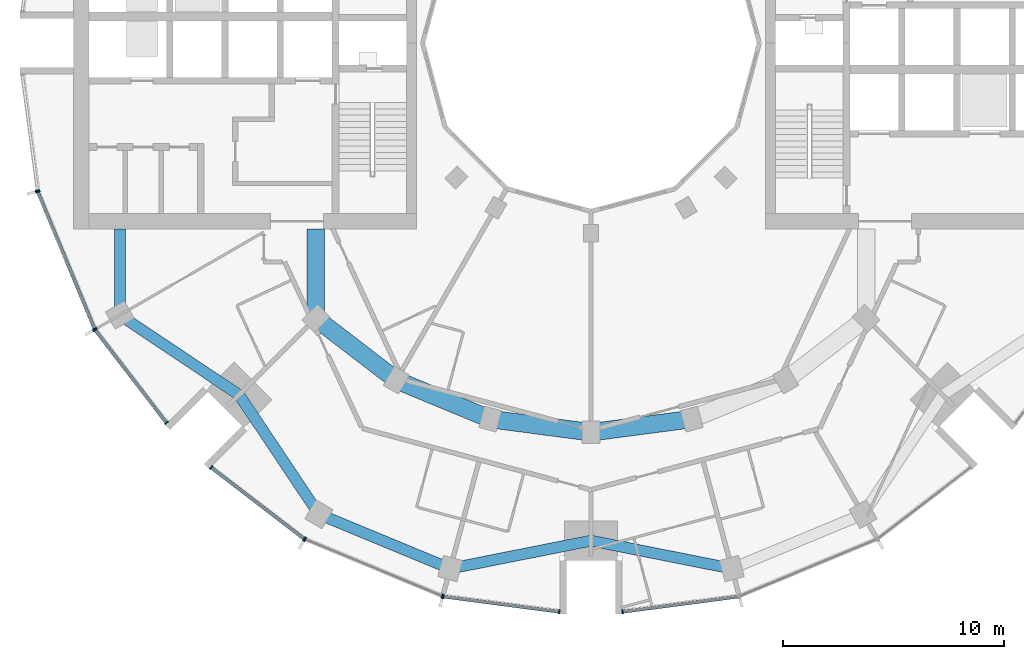
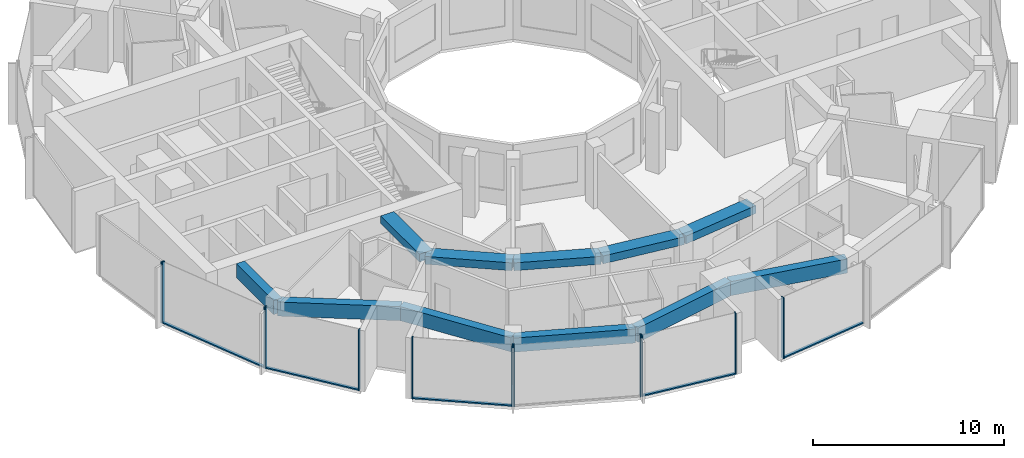
# One storey, part 2 of 15: 17 members, 11 beams, 7 elements without a shape of their own.
"""IFC4 building model written with IfcOpenShell, lengths in metres."""

from ifc_helpers import new_model, si_unit, direction, frame, origin, origin_2d, place, context, subcontext, project, spatial, rectangle, extrude, material, layer, layer_set, material_profile, profile_set, type_object, element, aggregate, save


model = new_model("IFC4")

# Units and contexts
model_context = context("Model", 3, precision=1e-05, world=origin(), true_north=direction((0.0, 1.0)))
body_context = subcontext(model_context, "Body", "Model", "MODEL_VIEW")
ifc_project = project(units=[si_unit("LENGTHUNIT", "METRE"), si_unit("AREAUNIT", "SQUARE_METRE"), si_unit("VOLUMEUNIT", "CUBIC_METRE"), si_unit("PLANEANGLEUNIT", "RADIAN"), si_unit("MASSUNIT", "GRAM", prefix="KILO")], contexts=[model_context])

# Site, building, storey
site_placement = place(None, origin())
site = spatial("IfcSite", under=ifc_project, at=site_placement, CompositionType="ELEMENT")
building_placement = place(site_placement, origin())
building = spatial("IfcBuilding", under=site, at=building_placement, Name="Torre Brocal", CompositionType="ELEMENT")
storey_placement = place(building_placement, frame((0.0, 0.0, 126.300048828125)))
storey = spatial("IfcBuildingStorey", under=building, at=storey_placement, Name="L29", CompositionType="ELEMENT", Elevation=126.300048828125)

# Curtain wall, members
ifc_material_1 = material(Name="Aluminium and glass", Category="aluminium")
ifc_layer_1 = layer(ifc_material_1, 0.199951171875)
ifc_layer_set_1 = layer_set([ifc_layer_1], Name="Aluminium and glass")
curtain_wall_type_1 = type_object("IfcCurtainWallType", Name="CW-1 CURTAIN WALL 3900 HIGH", PredefinedType="NOTDEFINED", material=ifc_layer_set_1)
curtain_wall_1_placement = place(storey_placement, origin())
curtain_wall_1 = element("IfcCurtainWall", 1, at=curtain_wall_1_placement, inside=storey, type_object=curtain_wall_type_1, Name="CW-1 RUN 14", PredefinedType="NOTDEFINED")
ifc_material_2 = material(Name="Aluminium, dark anodised", Category="aluminium")
ifc_material_profile_1 = material_profile(ifc_material_2, rectangle(XDim=0.199951171875, YDim=0.06005859375, at=origin_2d()), Name="CW-1 MULLION 60X200")
ifc_profile_set_1 = profile_set([ifc_material_profile_1], Name="Aluminium, dark anodised")
member_type_1 = type_object("IfcMemberType", Name="CW-1 MULLION 60X200", PredefinedType="MULLION", material=ifc_profile_set_1)
member_1_placement = place(storey_placement, frame((54.994873046875, 68.26904296875, 0.0), z_axis=(0.0, 0.0, 1.0), x_axis=(0.923879532525, 0.382683432333, 0.0)))
member_1 = element("IfcMember", 2, at=member_1_placement, type_object=member_type_1, Name="CW1-3 mullion 1", PredefinedType="MULLION", context=body_context, shape_type="SweptSolid", body=[
    extrude(rectangle(XDim=0.199951171875, YDim=0.06005859375, at=origin_2d()), origin(), (0.0, 0.0, 1.0), 3.89990234375),
])
member_2_placement = place(storey_placement, frame((57.559326171875, 62.078125, 0.0), z_axis=(0.0, 0.0, 1.0), x_axis=(0.923879532525, 0.382683432333, 0.0)))
member_2 = element("IfcMember", 3, at=member_2_placement, type_object=member_type_1, Name="CW1-3 mullion 2", PredefinedType="MULLION", context=body_context, shape_type="SweptSolid", body=[
    extrude(rectangle(XDim=0.199951171875, YDim=0.06005859375, at=origin_2d()), origin(), (0.0, 0.0, 1.0), 3.89990234375),
])

curtain_wall_2_placement = place(storey_placement, origin())
curtain_wall_2 = element("IfcCurtainWall", 4, at=curtain_wall_2_placement, inside=storey, type_object=curtain_wall_type_1, Name="CW-1 RUN 15", PredefinedType="NOTDEFINED")
member_3_placement = place(storey_placement, frame((57.5888671875, 62.026611328125, 0.0), z_axis=(0.0, 0.0, 1.0), x_axis=(0.793353340259, 0.60876142905, 0.0)))
member_3 = element("IfcMember", 5, at=member_3_placement, type_object=member_type_1, Name="CW1-3 mullion 1", PredefinedType="MULLION", context=body_context, shape_type="SweptSolid", body=[
    extrude(rectangle(XDim=0.199951171875, YDim=0.06005859375, at=origin_2d()), origin(), (0.0, 0.0, 1.0), 3.89990234375),
])
member_4_placement = place(storey_placement, frame((60.80859375, 57.83056640625, 0.0), z_axis=(0.0, 0.0, 1.0), x_axis=(0.793353340259, 0.60876142905, 0.0)))
member_4 = element("IfcMember", 6, at=member_4_placement, type_object=member_type_1, Name="CW1-3 mullion 2", PredefinedType="MULLION", context=body_context, shape_type="SweptSolid", body=[
    extrude(rectangle(XDim=0.199951171875, YDim=0.06005859375, at=origin_2d()), origin(), (0.0, 0.0, 1.0), 3.89990234375),
])

curtain_wall_3_placement = place(storey_placement, origin())
curtain_wall_3 = element("IfcCurtainWall", 7, at=curtain_wall_3_placement, inside=storey, type_object=curtain_wall_type_1, Name="CW-1 RUN 16", PredefinedType="NOTDEFINED")
member_5_placement = place(storey_placement, frame((62.83056640625, 55.80859375, 0.0), z_axis=(0.0, 0.0, 1.0), x_axis=(0.60876142905, 0.793353340259, 0.0)))
member_5 = element("IfcMember", 8, at=member_5_placement, type_object=member_type_1, Name="CW1-3 mullion 1", PredefinedType="MULLION", context=body_context, shape_type="SweptSolid", body=[
    extrude(rectangle(XDim=0.199951171875, YDim=0.06005859375, at=origin_2d()), origin(), (0.0, 0.0, 1.0), 3.89990234375),
])
member_6_placement = place(storey_placement, frame((67.026611328125, 52.5888671875, 0.0), z_axis=(0.0, 0.0, 1.0), x_axis=(0.60876142905, 0.793353340259, 0.0)))
member_6 = element("IfcMember", 9, at=member_6_placement, type_object=member_type_1, Name="CW1-3 mullion 2", PredefinedType="MULLION", context=body_context, shape_type="SweptSolid", body=[
    extrude(rectangle(XDim=0.199951171875, YDim=0.06005859375, at=origin_2d()), origin(), (0.0, 0.0, 1.0), 3.89990234375),
])

curtain_wall_4_placement = place(storey_placement, origin())
curtain_wall_4 = element("IfcCurtainWall", 10, at=curtain_wall_4_placement, inside=storey, type_object=curtain_wall_type_1, Name="CW-1 RUN 17", PredefinedType="NOTDEFINED")
member_7_placement = place(storey_placement, frame((67.078125, 52.559326171875, 0.0), z_axis=(0.0, 0.0, 1.0), x_axis=(0.382683432333, 0.923879532525, 0.0)))
member_7 = element("IfcMember", 11, at=member_7_placement, type_object=member_type_1, Name="CW1-3 mullion 1", PredefinedType="MULLION", context=body_context, shape_type="SweptSolid", body=[
    extrude(rectangle(XDim=0.199951171875, YDim=0.06005859375, at=origin_2d()), origin(), (0.0, 0.0, 1.0), 3.89990234375),
])
member_8_placement = place(storey_placement, frame((73.26904296875, 49.994873046875, 0.0), z_axis=(0.0, 0.0, 1.0), x_axis=(0.382683432333, 0.923879532525, 0.0)))
member_8 = element("IfcMember", 12, at=member_8_placement, type_object=member_type_1, Name="CW1-3 mullion 2", PredefinedType="MULLION", context=body_context, shape_type="SweptSolid", body=[
    extrude(rectangle(XDim=0.199951171875, YDim=0.06005859375, at=origin_2d()), origin(), (0.0, 0.0, 1.0), 3.89990234375),
])
aggregate(curtain_wall_4, [member_7, member_8])

curtain_wall_5_placement = place(storey_placement, origin())
curtain_wall_5 = element("IfcCurtainWall", 13, at=curtain_wall_5_placement, inside=storey, type_object=curtain_wall_type_1, Name="CW-1 RUN 18", PredefinedType="NOTDEFINED")
member_9_placement = place(storey_placement, frame((73.32666015625, 49.9794921875, 0.0), z_axis=(0.0, 0.0, 1.0), x_axis=(0.13052619222, 0.991444861374, 0.0)))
member_9 = element("IfcMember", 14, at=member_9_placement, type_object=member_type_1, Name="CW1-3 mullion 1", PredefinedType="MULLION", context=body_context, shape_type="SweptSolid", body=[
    extrude(rectangle(XDim=0.199951171875, YDim=0.06005859375, at=origin_2d()), origin(), (0.0, 0.0, 1.0), 3.89990234375),
])
member_10_placement = place(storey_placement, frame((78.5703125, 49.2890625, 0.0), z_axis=(0.0, 0.0, 1.0), x_axis=(0.13052619222, 0.991444861374, 0.0)))
member_10 = element("IfcMember", 15, at=member_10_placement, type_object=member_type_1, Name="CW1-3 mullion 2", PredefinedType="MULLION", context=body_context, shape_type="SweptSolid", body=[
    extrude(rectangle(XDim=0.199951171875, YDim=0.06005859375, at=origin_2d()), origin(), (0.0, 0.0, 1.0), 3.89990234375),
])

# Curtain wall, member
curtain_wall_6_placement = place(storey_placement, origin())
curtain_wall_6 = element("IfcCurtainWall", 16, at=curtain_wall_6_placement, inside=storey, type_object=curtain_wall_type_1, Name="CW-1 RUN 19", PredefinedType="NOTDEFINED")
member_11_placement = place(storey_placement, frame((81.4296875, 49.2890625, 0.0), z_axis=(0.0, 0.0, 1.0), x_axis=(-0.13052619222, 0.991444861374, 0.0)))
member_11 = element("IfcMember", 17, at=member_11_placement, type_object=member_type_1, Name="CW1-3 mullion 1", PredefinedType="MULLION", context=body_context, shape_type="SweptSolid", body=[
    extrude(rectangle(XDim=0.199951171875, YDim=0.06005859375, at=origin_2d()), origin(), (0.0, 0.0, 1.0), 3.89990234375),
])

# Member
ifc_material_3 = material(Name="Aluminium, dark anodised", Category="aluminium")
ifc_material_profile_2 = material_profile(ifc_material_3, rectangle(XDim=0.159912109375, YDim=0.080078125, at=origin_2d()), Name="CW-1 TRANSOM 160X80")
ifc_profile_set_2 = profile_set([ifc_material_profile_2], Name="Aluminium, dark anodised")
member_type_2 = type_object("IfcMemberType", Name="CW-1 TRANSOM 160X80", PredefinedType="USERDEFINED", material=ifc_profile_set_2)
member_12_placement = place(storey_placement, frame((55.00634765625, 68.241455078125, 0.0400390625), z_axis=(0.38266457234, -0.923887344364, 0.0), x_axis=(0.923887344364, 0.38266457234, 0.0)))
member_12 = element("IfcMember", 18, at=member_12_placement, type_object=member_type_2, Name="CW1-3 transom 1.1", ObjectType="TRANSOM", PredefinedType="USERDEFINED", context=body_context, shape_type="SweptSolid", body=[
    extrude(rectangle(XDim=0.159912109375, YDim=0.080078125, at=origin_2d()), origin(), (0.0, 0.0, 1.0), 6.640869140625),
])

aggregate(curtain_wall_1, [member_1, member_2, member_12])

member_13_placement = place(storey_placement, frame((57.607177734375, 62.0029296875, 0.0400390625), z_axis=(0.60874908096, -0.79336281513, 0.0), x_axis=(0.79336281513, 0.60874908096, 0.0)))
member_13 = element("IfcMember", 19, at=member_13_placement, type_object=member_type_2, Name="CW1-3 transom 1.1", ObjectType="TRANSOM", PredefinedType="USERDEFINED", context=body_context, shape_type="SweptSolid", body=[
    extrude(rectangle(XDim=0.159912109375, YDim=0.080078125, at=origin_2d()), origin(), (0.0, 0.0, 1.0), 5.22900390625),
])

aggregate(curtain_wall_2, [member_3, member_4, member_13])

member_14_placement = place(storey_placement, frame((62.8544921875, 55.790283203125, 0.0400390625), z_axis=(0.79336281513, -0.60874908096, 0.0), x_axis=(0.60874908096, 0.79336281513, 0.0)))
member_14 = element("IfcMember", 20, at=member_14_placement, type_object=member_type_2, Name="CW1-3 transom 1.1", ObjectType="TRANSOM", PredefinedType="USERDEFINED", context=body_context, shape_type="SweptSolid", body=[
    extrude(rectangle(XDim=0.159912109375, YDim=0.080078125, at=origin_2d()), origin(), (0.0, 0.0, 1.0), 5.22900390625),
])

aggregate(curtain_wall_3, [member_5, member_6, member_14])

member_15_placement = place(storey_placement, frame((73.356201171875, 49.9755859375, 0.0400390625), z_axis=(0.991442690863, -0.130542677827, 0.0), x_axis=(0.130542677827, 0.991442690863, 0.0)))
member_15 = element("IfcMember", 21, at=member_15_placement, type_object=member_type_2, Name="CW1-3 transom 1.1", ObjectType="TRANSOM", PredefinedType="USERDEFINED", context=body_context, shape_type="SweptSolid", body=[
    extrude(rectangle(XDim=0.159912109375, YDim=0.080078125, at=origin_2d()), origin(), (0.0, 0.0, 1.0), 5.22900390625),
])

aggregate(curtain_wall_5, [member_9, member_10, member_15])

member_16_placement = place(storey_placement, frame((81.45947265625, 49.29296875, 0.0400390625), z_axis=(0.991442690863, 0.130542677827, 0.0), x_axis=(-0.130542677827, 0.991442690863, 0.0)))
member_16 = element("IfcMember", 22, at=member_16_placement, type_object=member_type_2, Name="CW1-3 transom 1.1", ObjectType="TRANSOM", PredefinedType="USERDEFINED", context=body_context, shape_type="SweptSolid", body=[
    extrude(rectangle(XDim=0.159912109375, YDim=0.080078125, at=origin_2d()), origin(), (0.0, 0.0, 1.0), 5.22900390625),
])

aggregate(curtain_wall_6, [member_11, member_16])

# Curtain wall, member
ifc_material_4 = material(Name="Aluminium and glass", Category="aluminium")
ifc_layer_2 = layer(ifc_material_4, 0.199951171875)
ifc_layer_set_2 = layer_set([ifc_layer_2], Name="Aluminium and glass")
curtain_wall_type_2 = type_object("IfcCurtainWallType", Name="CW-1B CURTAIN WALL 3900 HIGH", PredefinedType="NOTDEFINED", material=ifc_layer_set_2)
curtain_wall_7_placement = place(storey_placement, origin())
curtain_wall_7 = element("IfcCurtainWall", 23, at=curtain_wall_7_placement, inside=storey, type_object=curtain_wall_type_2, Name="CW-1B RUN 13", PredefinedType="NOTDEFINED")
ifc_material_5 = material(Name="Aluminium, dark anodised", Category="aluminium")
ifc_material_profile_3 = material_profile(ifc_material_5, rectangle(XDim=0.199951171875, YDim=0.06005859375, at=origin_2d()), Name="CW-1B MULLION 60X200")
ifc_profile_set_3 = profile_set([ifc_material_profile_3], Name="Aluminium, dark anodised")
member_type_3 = type_object("IfcMemberType", Name="CW-1B MULLION 60X200", PredefinedType="MULLION", material=ifc_profile_set_3)
member_17_placement = place(storey_placement, frame((54.9794921875, 68.32666015625, 0.0), z_axis=(0.0, 0.0, 1.0), x_axis=(0.991444861374, 0.13052619222, 0.0)))
member_17 = element("IfcMember", 24, at=member_17_placement, type_object=member_type_3, Name="CW1B-3 mullion 2", PredefinedType="MULLION", context=body_context, shape_type="SweptSolid", body=[
    extrude(rectangle(XDim=0.199951171875, YDim=0.06005859375, at=origin_2d()), origin(), (0.0, 0.0, 1.0), 3.89990234375),
])
aggregate(curtain_wall_7, [member_17])

# Beams
ifc_material_6 = material(Name="Concrete C50", Category="concrete")
ifc_material_profile_4 = material_profile(ifc_material_6, rectangle(XDim=0.800048828125, YDim=0.5, at=origin_2d()), Name="RC 800X500")
ifc_profile_set_4 = profile_set([ifc_material_profile_4], Name="Concrete C50")
beam_type_1 = type_object("IfcBeamType", Name="RC BEAM 800X500 C50 TOP 3580", PredefinedType="BEAM", material=ifc_profile_set_4)
beam_1_placement = place(storey_placement, frame((67.554931640625, 62.554931640625, 3.329833984375), z_axis=(0.0, 1.0, 0.0), x_axis=(-1.0, 0.0, 0.0)))
element("IfcBeam", 25, at=beam_1_placement, inside=storey, type_object=beam_type_1, Name="Beam BT-28", PredefinedType="BEAM", context=body_context, shape_type="SweptSolid", body=[
    extrude(rectangle(XDim=0.800048828125, YDim=0.5, at=origin_2d()), origin(), (0.0, 0.0, 1.0), 4.045166015625),
])
beam_2_placement = place(storey_placement, frame((67.554931640625, 62.554931640625, 3.329833984375), z_axis=(0.793358265959, -0.6087550097, 0.0), x_axis=(0.6087550097, 0.793358265959, 0.0)))
element("IfcBeam", 26, at=beam_2_placement, inside=storey, type_object=beam_type_1, Name="Beam BT-28", PredefinedType="BEAM", context=body_context, shape_type="SweptSolid", body=[
    extrude(rectangle(XDim=0.800048828125, YDim=0.5, at=origin_2d()), origin(), (0.0, 0.0, 1.0), 4.594482421875),
])
beam_3_placement = place(storey_placement, frame((71.199951171875, 59.758056640625, 3.329833984375), z_axis=(0.923878240166, -0.382686552348, 0.0), x_axis=(0.382686552348, 0.923878240166, 0.0)))
element("IfcBeam", 27, at=beam_3_placement, inside=storey, type_object=beam_type_1, Name="Beam BT-28", PredefinedType="BEAM", context=body_context, shape_type="SweptSolid", body=[
    extrude(rectangle(XDim=0.800048828125, YDim=0.5, at=origin_2d()), origin(), (0.0, 0.0, 1.0), 4.5947265625),
])
for number, where, z_axis, x_axis, name in (
    (28, (75.44482421875, 57.999755859375, 3.329833984375), (0.991440544449, -0.130558978332, 0.0), (0.130558978332, 0.991440544449, 0.0), "Beam BT-28"),
    (29, (80.0, 57.39990234375, 3.329833984375), (0.991440544449, 0.130558978332, 0.0), (-0.130558978332, 0.991440544449, 0.0), "Beam BT-28"),
):
    element("IfcBeam", number, at=place(storey_placement, frame(where, z_axis=z_axis, x_axis=x_axis)), inside=storey, type_object=beam_type_1, Name=name, PredefinedType="BEAM", context=body_context, shape_type="SweptSolid", body=[
        extrude(rectangle(XDim=0.800048828125, YDim=0.5, at=origin_2d()), origin(), (0.0, 0.0, 1.0), 4.594482421875),
    ])
ifc_material_7 = material(Name="Concrete C50", Category="concrete")
ifc_material_profile_5 = material_profile(ifc_material_7, rectangle(XDim=0.5, YDim=0.89990234375, at=origin_2d()), Name="RC 500X900")
ifc_profile_set_5 = profile_set([ifc_material_profile_5], Name="Concrete C50")
beam_type_2 = type_object("IfcBeamType", Name="RC SPANDREL BEAM 500X900 C50 TOP 3580", PredefinedType="SPANDREL", material=ifc_profile_set_5)
beam_4_placement = place(storey_placement, frame((58.69580078125, 62.699951171875, 3.1298828125), z_axis=(0.0, 1.0, 0.0), x_axis=(-1.0, 0.0, 0.0)))
element("IfcBeam", 30, at=beam_4_placement, inside=storey, type_object=beam_type_2, Name="Beam BT-29", PredefinedType="SPANDREL", context=body_context, shape_type="SweptSolid", body=[
    extrude(rectangle(XDim=0.5, YDim=0.89990234375, at=origin_2d()), origin(), (0.0, 0.0, 1.0), 3.900146484375),
])
for number, where, z_axis, x_axis, name in (
    (31, (58.69580078125, 62.699951171875, 3.1298828125), (0.831076844476, -0.556157602282, 0.0), (0.556157602282, 0.831076844476, 0.0), "Beam BT-29"),
    (32, (64.090087890625, 59.090087890625, 3.1298828125), (0.556157602282, -0.831076844476, 0.0), (0.831076844476, 0.556157602282, 0.0), "Beam BT-29"),
):
    element("IfcBeam", number, at=place(storey_placement, frame(where, z_axis=z_axis, x_axis=x_axis)), inside=storey, type_object=beam_type_2, Name=name, PredefinedType="SPANDREL", context=body_context, shape_type="SweptSolid", body=[
        extrude(rectangle(XDim=0.5, YDim=0.89990234375, at=origin_2d()), origin(), (0.0, 0.0, 1.0), 6.49072265625),
    ])
beam_5_placement = place(storey_placement, frame((67.699951171875, 53.69580078125, 3.1298828125), z_axis=(0.923882462513, -0.382676358639, 0.0), x_axis=(0.382676358639, 0.923882462513, 0.0)))
element("IfcBeam", 33, at=beam_5_placement, inside=storey, type_object=beam_type_2, Name="Beam BT-29", PredefinedType="SPANDREL", context=body_context, shape_type="SweptSolid", body=[
    extrude(rectangle(XDim=0.5, YDim=0.89990234375, at=origin_2d()), origin(), (0.0, 0.0, 1.0), 6.421875),
])
for number, where, z_axis, x_axis, name in (
    (34, (73.633056640625, 51.23828125, 3.1298828125), (0.980924907484, 0.194387051723, 0.0), (-0.194387051723, 0.980924907484, 0.0), "Beam BT-29"),
    (35, (80.0, 52.5, 3.1298828125), (0.980924907484, -0.194387051723, 0.0), (0.194387051723, 0.980924907484, 0.0), "Beam BT-29"),
):
    element("IfcBeam", number, at=place(storey_placement, frame(where, z_axis=z_axis, x_axis=x_axis)), inside=storey, type_object=beam_type_2, Name=name, PredefinedType="SPANDREL", context=body_context, shape_type="SweptSolid", body=[
        extrude(rectangle(XDim=0.5, YDim=0.89990234375, at=origin_2d()), origin(), (0.0, 0.0, 1.0), 6.49072265625),
    ])

save(model, "model.ifc")
